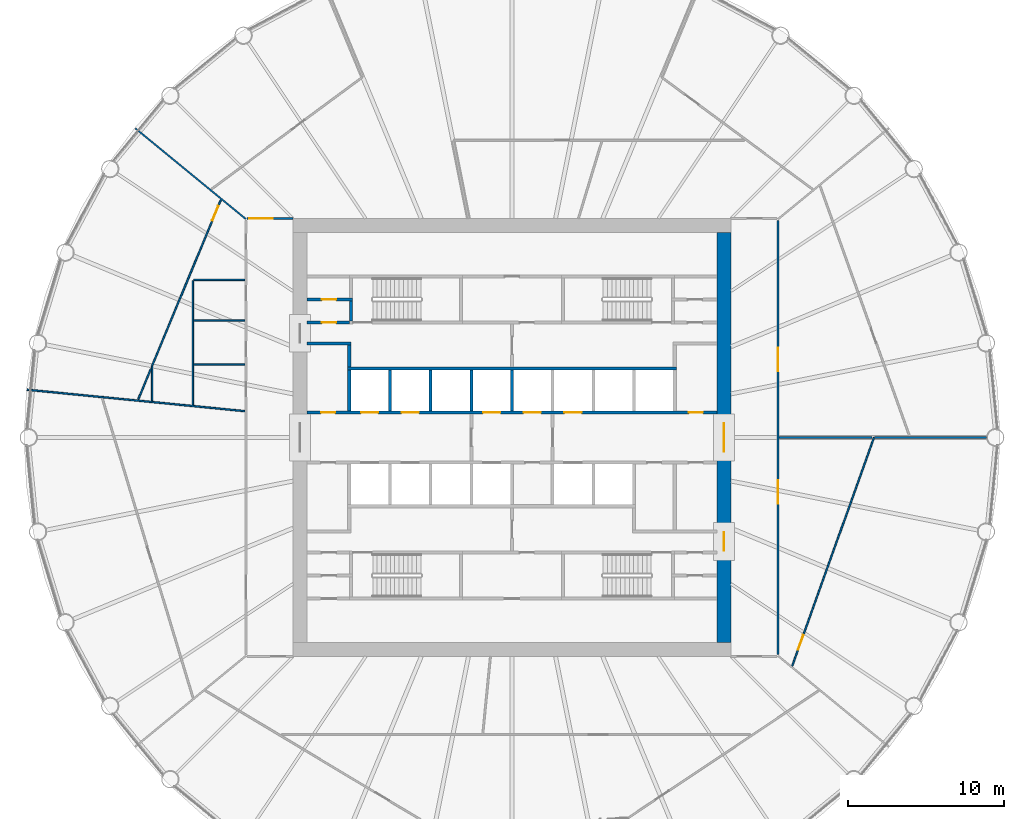
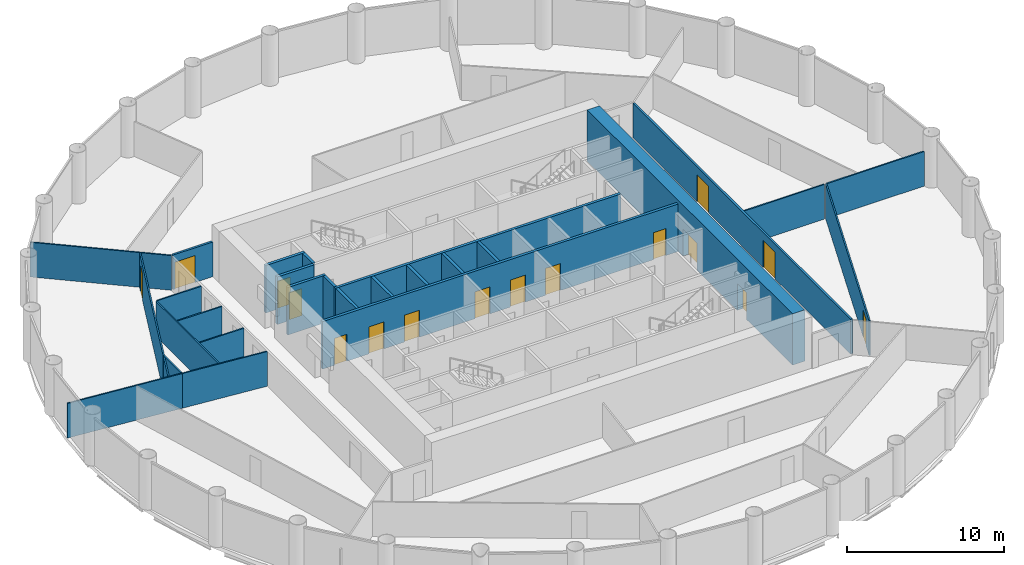
# One storey, part 6 of 9: 28 walls, 16 doors, 16 openings.
"""IFC4 building model written with IfcOpenShell, lengths in metres."""

from ifc_helpers import new_model, si_unit, direction, frame, frame_2d, origin, place, context, subcontext, project, spatial, polyline, rectangle, outline, extrude, material, layer, layer_set, type_object, element, fill, save


model = new_model("IFC4")

# Units and contexts
model_context = context("Model", 3, precision=1e-05, world=origin(), true_north=direction((0.0, 1.0)))
body_context = subcontext(model_context, "Body", "Model", "MODEL_VIEW")
ifc_project = project(units=[si_unit("LENGTHUNIT", "METRE"), si_unit("AREAUNIT", "SQUARE_METRE"), si_unit("VOLUMEUNIT", "CUBIC_METRE"), si_unit("PLANEANGLEUNIT", "RADIAN"), si_unit("MASSUNIT", "GRAM", prefix="KILO")], contexts=[model_context])

# Site, building, storey
site_placement = place(None, origin())
site = spatial("IfcSite", under=ifc_project, at=site_placement, CompositionType="ELEMENT")
building_placement = place(site_placement, origin())
building = spatial("IfcBuilding", under=site, at=building_placement, Name="Corvane Civic Tower", CompositionType="ELEMENT")
storey_placement = place(building_placement, frame((0.0, 0.0, 164.0)))
storey = spatial("IfcBuildingStorey", under=building, at=storey_placement, Name="L38", CompositionType="ELEMENT", Elevation=164.0)

# Wall, openings, doors
ifc_material_1 = material(Name="Concrete C60/75", Category="concrete")
ifc_layer_1 = layer(ifc_material_1, 0.89990234375)
ifc_layer_set_1 = layer_set([ifc_layer_1], Name="Concrete C60/75")
wall_type_1 = type_object("IfcWallType", Name="CORE WALL 900 C60/75", PredefinedType="SHEAR", material=ifc_layer_set_1)
wall_1_placement = place(storey_placement, frame((13.550048828125, -13.10009765625, 0.0), z_axis=(0.0, 0.0, 1.0), x_axis=(0.0, 1.0, 0.0)))
wall_1 = element("IfcWall", 1, at=wall_1_placement, inside=storey, type_object=wall_type_1, Name="W-L38-core-E", PredefinedType="SHEAR", context=body_context, shape_type="SweptSolid", body=[
    extrude(rectangle(XDim=26.2001953125, YDim=0.89990234375, at=frame_2d((13.10009765625, 0.0))), origin(), (0.0, 0.0, 1.0), 4.0),
])
opening_1_placement = place(wall_1_placement, frame((12.199951171875, 0.0, 0.0)))
opening_1 = element("IfcOpeningElement", 2, at=opening_1_placement, cuts=wall_1, Name="Opening L38.C29", PredefinedType="OPENING", context=body_context, shape_type="SweptSolid", body=[
    extrude(rectangle(XDim=1.800048828125, YDim=2.10009765625, at=frame_2d((0.89990234375, 1.050048828125))), frame((0.0, 0.4599609375, 0.0), z_axis=(0.0, -1.0, 0.0), x_axis=(1.0, 0.0, 0.0)), (0.0, 0.0, 1.0), 0.919921875),
])
opening_2_placement = place(wall_1_placement, frame((5.85009765625, 0.0, 0.0)))
opening_2 = element("IfcOpeningElement", 3, at=opening_2_placement, cuts=wall_1, Name="Opening L38.C31", PredefinedType="OPENING", context=body_context, shape_type="SweptSolid", body=[
    extrude(rectangle(XDim=1.199951171875, YDim=2.10009765625, at=frame_2d((0.60009765625, 1.050048828125))), frame((0.0, 0.4599609375, 0.0), z_axis=(0.0, -1.0, 0.0), x_axis=(1.0, 0.0, 0.0)), (0.0, 0.0, 1.0), 0.919921875),
])
ifc_material_2 = material(Name="Steel fire door leaf", Category="steel")
door_type_1 = type_object("IfcDoorType", Name="CR-DOOR-CORE-1800", OperationType="DOUBLE_DOOR_SINGLE_SWING", PredefinedType="DOOR", material=ifc_material_2)
door_1_placement = place(opening_1_placement, origin())
door_1 = element("IfcDoor", 4, at=door_1_placement, inside=storey, type_object=door_type_1, Name="L38 door", OperationType="DOUBLE_DOOR_SINGLE_SWING", OverallHeight=2.10009765625, OverallWidth=1.800048828125, PredefinedType="DOOR", context=body_context, shape_type="SweptSolid", body=[
    extrude(rectangle(XDim=1.800048828125, YDim=2.10009765625, at=frame_2d((0.89990234375, 1.050048828125))), frame((0.0, 0.02490234375, 0.0), z_axis=(0.0, -1.0, 0.0), x_axis=(1.0, 0.0, 0.0)), (0.0, 0.0, 1.0), 0.050048828125),
])
fill(opening_1, door_1)
door_2_placement = place(opening_2_placement, origin())
door_2 = element("IfcDoor", 5, at=door_2_placement, inside=storey, type_object=door_type_1, Name="L38 door", OperationType="DOUBLE_DOOR_SINGLE_SWING", OverallHeight=2.10009765625, OverallWidth=1.199951171875, PredefinedType="DOOR", context=body_context, shape_type="SweptSolid", body=[
    extrude(rectangle(XDim=1.199951171875, YDim=2.10009765625, at=frame_2d((0.60009765625, 1.050048828125))), frame((0.0, 0.02490234375, 0.0), z_axis=(0.0, -1.0, 0.0), x_axis=(1.0, 0.0, 0.0)), (0.0, 0.0, 1.0), 0.050048828125),
])
fill(opening_2, door_2)

ifc_material_3 = material(Name="Concrete C30/37", Category="concrete")
ifc_layer_2 = layer(ifc_material_3, 0.199951171875)
ifc_layer_set_2 = layer_set([ifc_layer_2], Name="Concrete C30/37")
wall_type_2 = type_object("IfcWallType", Name="CR-WALL-200", PredefinedType="PARTITIONING", material=ifc_layer_set_2)
wall_2_placement = place(storey_placement, frame((-13.10009765625, 1.60009765625, 0.0), z_axis=(0.0, 0.0, 1.0), x_axis=(1.0, 0.0, 0.0)))
wall_2 = element("IfcWall", 6, at=wall_2_placement, inside=storey, type_object=wall_type_2, Name="L38 lift shaft wall", PredefinedType="PARTITIONING", context=body_context, shape_type="SweptSolid", body=[
    extrude(rectangle(XDim=26.2001953125, YDim=0.199951171875, at=frame_2d((13.10009765625, 0.0))), origin(), (0.0, 0.0, 1.0), 3.699951171875),
])
opening_3_placement = place(wall_2_placement, frame((3.449951171875, 0.0, 0.0)))
opening_3 = element("IfcOpeningElement", 7, at=opening_3_placement, cuts=wall_2, Name="Opening LD", PredefinedType="OPENING", context=body_context, shape_type="SweptSolid", body=[
    extrude(rectangle(XDim=1.10009765625, YDim=2.10009765625, at=frame_2d((0.550048828125, 1.050048828125))), frame((0.0, 0.10986328125, 0.0), z_axis=(0.0, -1.0, 0.0), x_axis=(1.0, 0.0, 0.0)), (0.0, 0.0, 1.0), 0.219970703125),
])
opening_4_placement = place(wall_2_placement, frame((6.050048828125, 0.0, 0.0)))
opening_4 = element("IfcOpeningElement", 8, at=opening_4_placement, cuts=wall_2, Name="Opening LD", PredefinedType="OPENING", context=body_context, shape_type="SweptSolid", body=[
    extrude(rectangle(XDim=1.10009765625, YDim=2.10009765625, at=frame_2d((0.550048828125, 1.050048828125))), frame((0.0, 0.10986328125, 0.0), z_axis=(0.0, -1.0, 0.0), x_axis=(1.0, 0.0, 0.0)), (0.0, 0.0, 1.0), 0.219970703125),
])
opening_5_placement = place(wall_2_placement, frame((11.25, 0.0, 0.0)))
opening_5 = element("IfcOpeningElement", 9, at=opening_5_placement, cuts=wall_2, Name="Opening LD", PredefinedType="OPENING", context=body_context, shape_type="SweptSolid", body=[
    extrude(rectangle(XDim=1.10009765625, YDim=2.10009765625, at=frame_2d((0.550048828125, 1.050048828125))), frame((0.0, 0.10986328125, 0.0), z_axis=(0.0, -1.0, 0.0), x_axis=(1.0, 0.0, 0.0)), (0.0, 0.0, 1.0), 0.219970703125),
])
opening_6_placement = place(wall_2_placement, frame((13.85009765625, 0.0, 0.0)))
opening_6 = element("IfcOpeningElement", 10, at=opening_6_placement, cuts=wall_2, Name="Opening LD", PredefinedType="OPENING", context=body_context, shape_type="SweptSolid", body=[
    extrude(rectangle(XDim=1.10009765625, YDim=2.10009765625, at=frame_2d((0.550048828125, 1.050048828125))), frame((0.0, 0.10986328125, 0.0), z_axis=(0.0, -1.0, 0.0), x_axis=(1.0, 0.0, 0.0)), (0.0, 0.0, 1.0), 0.219970703125),
])
opening_7_placement = place(wall_2_placement, frame((16.449951171875, 0.0, 0.0)))
opening_7 = element("IfcOpeningElement", 11, at=opening_7_placement, cuts=wall_2, Name="Opening LD", PredefinedType="OPENING", context=body_context, shape_type="SweptSolid", body=[
    extrude(rectangle(XDim=1.10009765625, YDim=2.10009765625, at=frame_2d((0.550048828125, 1.050048828125))), frame((0.0, 0.10986328125, 0.0), z_axis=(0.0, -1.0, 0.0), x_axis=(1.0, 0.0, 0.0)), (0.0, 0.0, 1.0), 0.219970703125),
])
opening_8_placement = place(wall_2_placement, frame((0.89990234375, 0.0, 0.0)))
opening_8 = element("IfcOpeningElement", 12, at=opening_8_placement, cuts=wall_2, Name="Opening L38.C01", PredefinedType="OPENING", context=body_context, shape_type="SweptSolid", body=[
    extrude(rectangle(XDim=0.89990234375, YDim=2.10009765625, at=frame_2d((0.449951171875, 1.050048828125))), frame((0.0, 0.10986328125, 0.0), z_axis=(0.0, -1.0, 0.0), x_axis=(1.0, 0.0, 0.0)), (0.0, 0.0, 1.0), 0.219970703125),
])
opening_9_placement = place(wall_2_placement, frame((24.39990234375, 0.0, 0.0)))
opening_9 = element("IfcOpeningElement", 13, at=opening_9_placement, cuts=wall_2, Name="Opening L38.C02", PredefinedType="OPENING", context=body_context, shape_type="SweptSolid", body=[
    extrude(rectangle(XDim=0.89990234375, YDim=2.10009765625, at=frame_2d((0.449951171875, 1.050048828125))), frame((0.0, 0.10986328125, 0.0), z_axis=(0.0, -1.0, 0.0), x_axis=(1.0, 0.0, 0.0)), (0.0, 0.0, 1.0), 0.219970703125),
])
ifc_material_4 = material(Name="Steel fire door leaf", Category="steel")
door_type_2 = type_object("IfcDoorType", Name="CR-DOOR-900", OperationType="SINGLE_SWING_LEFT", PredefinedType="DOOR", material=ifc_material_4)
door_3_placement = place(opening_8_placement, origin())
door_3 = element("IfcDoor", 14, at=door_3_placement, inside=storey, type_object=door_type_2, Name="L38 door", OperationType="SINGLE_SWING_LEFT", OverallHeight=2.10009765625, OverallWidth=0.89990234375, PredefinedType="DOOR", context=body_context, shape_type="SweptSolid", body=[
    extrude(rectangle(XDim=0.89990234375, YDim=2.10009765625, at=frame_2d((0.449951171875, 1.050048828125))), frame((0.0, 0.02490234375, 0.0), z_axis=(0.0, -1.0, 0.0), x_axis=(1.0, 0.0, 0.0)), (0.0, 0.0, 1.0), 0.050048828125),
])
fill(opening_8, door_3)
door_4_placement = place(opening_9_placement, origin())
door_4 = element("IfcDoor", 15, at=door_4_placement, inside=storey, type_object=door_type_2, Name="L38 door", OperationType="SINGLE_SWING_LEFT", OverallHeight=2.10009765625, OverallWidth=0.89990234375, PredefinedType="DOOR", context=body_context, shape_type="SweptSolid", body=[
    extrude(rectangle(XDim=0.89990234375, YDim=2.10009765625, at=frame_2d((0.449951171875, 1.050048828125))), frame((0.0, 0.02490234375, 0.0), z_axis=(0.0, -1.0, 0.0), x_axis=(1.0, 0.0, 0.0)), (0.0, 0.0, 1.0), 0.050048828125),
])
fill(opening_9, door_4)
ifc_material_5 = material(Name="Stainless steel 316 door leaves", Category="steel")
door_type_3 = type_object("IfcDoorType", Name="LD", OperationType="DOUBLE_DOOR_SLIDING", PredefinedType="DOOR", material=ifc_material_5)
door_5_placement = place(opening_3_placement, origin())
door_5 = element("IfcDoor", 16, at=door_5_placement, inside=storey, type_object=door_type_3, Name="L38 landing door", OperationType="DOUBLE_DOOR_SLIDING", OverallHeight=2.10009765625, OverallWidth=1.10009765625, PredefinedType="DOOR", context=body_context, shape_type="SweptSolid", body=[
    extrude(rectangle(XDim=1.10009765625, YDim=2.10009765625, at=frame_2d((0.550048828125, 1.050048828125))), frame((0.0, 0.02490234375, 0.0), z_axis=(0.0, -1.0, 0.0), x_axis=(1.0, 0.0, 0.0)), (0.0, 0.0, 1.0), 0.050048828125),
])
fill(opening_3, door_5)
door_6_placement = place(opening_4_placement, origin())
door_6 = element("IfcDoor", 17, at=door_6_placement, inside=storey, type_object=door_type_3, Name="L38 landing door", OperationType="DOUBLE_DOOR_SLIDING", OverallHeight=2.10009765625, OverallWidth=1.10009765625, PredefinedType="DOOR", context=body_context, shape_type="SweptSolid", body=[
    extrude(rectangle(XDim=1.10009765625, YDim=2.10009765625, at=frame_2d((0.550048828125, 1.050048828125))), frame((0.0, 0.02490234375, 0.0), z_axis=(0.0, -1.0, 0.0), x_axis=(1.0, 0.0, 0.0)), (0.0, 0.0, 1.0), 0.050048828125),
])
fill(opening_4, door_6)
door_7_placement = place(opening_5_placement, origin())
door_7 = element("IfcDoor", 18, at=door_7_placement, inside=storey, type_object=door_type_3, Name="L38 landing door", OperationType="DOUBLE_DOOR_SLIDING", OverallHeight=2.10009765625, OverallWidth=1.10009765625, PredefinedType="DOOR", context=body_context, shape_type="SweptSolid", body=[
    extrude(rectangle(XDim=1.10009765625, YDim=2.10009765625, at=frame_2d((0.550048828125, 1.050048828125))), frame((0.0, 0.02490234375, 0.0), z_axis=(0.0, -1.0, 0.0), x_axis=(1.0, 0.0, 0.0)), (0.0, 0.0, 1.0), 0.050048828125),
])
fill(opening_5, door_7)
door_8_placement = place(opening_6_placement, origin())
door_8 = element("IfcDoor", 19, at=door_8_placement, inside=storey, type_object=door_type_3, Name="L38 landing door", OperationType="DOUBLE_DOOR_SLIDING", OverallHeight=2.10009765625, OverallWidth=1.10009765625, PredefinedType="DOOR", context=body_context, shape_type="SweptSolid", body=[
    extrude(rectangle(XDim=1.10009765625, YDim=2.10009765625, at=frame_2d((0.550048828125, 1.050048828125))), frame((0.0, 0.02490234375, 0.0), z_axis=(0.0, -1.0, 0.0), x_axis=(1.0, 0.0, 0.0)), (0.0, 0.0, 1.0), 0.050048828125),
])
fill(opening_6, door_8)
door_9_placement = place(opening_7_placement, origin())
door_9 = element("IfcDoor", 20, at=door_9_placement, inside=storey, type_object=door_type_3, Name="L38 landing door", OperationType="DOUBLE_DOOR_SLIDING", OverallHeight=2.10009765625, OverallWidth=1.10009765625, PredefinedType="DOOR", context=body_context, shape_type="SweptSolid", body=[
    extrude(rectangle(XDim=1.10009765625, YDim=2.10009765625, at=frame_2d((0.550048828125, 1.050048828125))), frame((0.0, 0.02490234375, 0.0), z_axis=(0.0, -1.0, 0.0), x_axis=(1.0, 0.0, 0.0)), (0.0, 0.0, 1.0), 0.050048828125),
])
fill(opening_7, door_9)

# Wall, opening, door
wall_3_placement = place(storey_placement, frame((-13.10009765625, 7.35009765625, 0.0), z_axis=(0.0, 0.0, 1.0), x_axis=(1.0, 0.0, 0.0)))
wall_3 = element("IfcWall", 21, at=wall_3_placement, inside=storey, type_object=wall_type_2, Name="L38 core partition wall", PredefinedType="PARTITIONING", context=body_context, shape_type="SweptSolid", body=[
    extrude(rectangle(XDim=2.7001953125, YDim=0.199951171875, at=frame_2d((1.35009765625, 0.0))), origin(), (0.0, 0.0, 1.0), 3.699951171875),
])
opening_10_placement = place(wall_3_placement, frame((0.949951171875, 0.0, 0.0)))
opening_10 = element("IfcOpeningElement", 22, at=opening_10_placement, cuts=wall_3, Name="Opening L38.C11", PredefinedType="OPENING", context=body_context, shape_type="SweptSolid", body=[
    extrude(rectangle(XDim=0.89990234375, YDim=2.10009765625, at=frame_2d((0.449951171875, 1.050048828125))), frame((0.0, 0.10986328125, 0.0), z_axis=(0.0, -1.0, 0.0), x_axis=(1.0, 0.0, 0.0)), (0.0, 0.0, 1.0), 0.219970703125),
])
door_10_placement = place(opening_10_placement, origin())
door_10 = element("IfcDoor", 23, at=door_10_placement, inside=storey, type_object=door_type_2, Name="L38 door", OperationType="SINGLE_SWING_LEFT", OverallHeight=2.10009765625, OverallWidth=0.89990234375, PredefinedType="DOOR", context=body_context, shape_type="SweptSolid", body=[
    extrude(rectangle(XDim=0.89990234375, YDim=2.10009765625, at=frame_2d((0.449951171875, 1.050048828125))), frame((0.0, 0.02490234375, 0.0), z_axis=(0.0, -1.0, 0.0), x_axis=(1.0, 0.0, 0.0)), (0.0, 0.0, 1.0), 0.050048828125),
])
fill(opening_10, door_10)

wall_4_placement = place(storey_placement, frame((-13.10009765625, 8.824951171875, 0.0), z_axis=(0.0, 0.0, 1.0), x_axis=(1.0, 0.0, 0.0)))
wall_4 = element("IfcWall", 24, at=wall_4_placement, inside=storey, type_object=wall_type_2, Name="L38 partition wall", PredefinedType="PARTITIONING", context=body_context, shape_type="SweptSolid", body=[
    extrude(rectangle(XDim=2.900146484375, YDim=0.199951171875, at=frame_2d((1.4501953125, 0.0))), origin(), (0.0, 0.0, 1.0), 3.699951171875),
])
opening_11_placement = place(wall_4_placement, frame((0.949951171875, 0.0, 0.0)))
opening_11 = element("IfcOpeningElement", 25, at=opening_11_placement, cuts=wall_4, Name="Opening L38.C12", PredefinedType="OPENING", context=body_context, shape_type="SweptSolid", body=[
    extrude(rectangle(XDim=0.89990234375, YDim=2.10009765625, at=frame_2d((0.449951171875, 1.050048828125))), frame((0.0, 0.10986328125, 0.0), z_axis=(0.0, -1.0, 0.0), x_axis=(1.0, 0.0, 0.0)), (0.0, 0.0, 1.0), 0.219970703125),
])
door_11_placement = place(opening_11_placement, origin())
door_11 = element("IfcDoor", 26, at=door_11_placement, inside=storey, type_object=door_type_2, Name="L38 door", OperationType="SINGLE_SWING_LEFT", OverallHeight=2.10009765625, OverallWidth=0.89990234375, PredefinedType="DOOR", context=body_context, shape_type="SweptSolid", body=[
    extrude(rectangle(XDim=0.89990234375, YDim=2.10009765625, at=frame_2d((0.449951171875, 1.050048828125))), frame((0.0, 0.02490234375, 0.0), z_axis=(0.0, -1.0, 0.0), x_axis=(1.0, 0.0, 0.0)), (0.0, 0.0, 1.0), 0.050048828125),
])
fill(opening_11, door_11)

# Walls
wall_5_placement = place(storey_placement, origin())
element("IfcWall", 27, at=wall_5_placement, inside=storey, type_object=wall_type_2, Name="L38 core partition wall", PredefinedType="PARTITIONING", context=body_context, shape_type="SweptSolid", body=[
    extrude(outline(polyline([(10.5, 4.5), (10.5, 4.300048828125), (-10.5, 4.300048828125), (-10.5, 4.5), (10.5, 4.5)])), origin(), (0.0, 0.0, 1.0), 3.699951171875),
])
wall_6_placement = place(storey_placement, origin())
element("IfcWall", 28, at=wall_6_placement, inside=storey, type_object=wall_type_2, Name="L38 core partition wall", PredefinedType="PARTITIONING", context=body_context, shape_type="SweptSolid", body=[
    extrude(outline(polyline([(-10.300048828125, 5.89990234375), (-13.10009765625, 5.89990234375), (-13.10009765625, 6.10009765625), (-10.300048828125, 6.10009765625), (-10.300048828125, 5.89990234375)])), origin(), (0.0, 0.0, 1.0), 3.699951171875),
])
wall_7_placement = place(storey_placement, origin())
element("IfcWall", 29, at=wall_7_placement, inside=storey, type_object=wall_type_2, Name="L38 core partition wall", PredefinedType="PARTITIONING", context=body_context, shape_type="SweptSolid", body=[
    extrude(outline(polyline([(-2.5, 1.699951171875), (-2.699951171875, 1.699951171875), (-2.699951171875, 4.2998046875), (-2.5, 4.2998046875), (-2.5, 1.699951171875)])), origin(), (0.0, 0.0, 1.0), 3.699951171875),
])
wall_8_placement = place(storey_placement, origin())
element("IfcWall", 30, at=wall_8_placement, inside=storey, type_object=wall_type_2, Name="L38 core partition wall", PredefinedType="PARTITIONING", context=body_context, shape_type="SweptSolid", body=[
    extrude(outline(polyline([(0.10009765625, 1.699951171875), (-0.10009765625, 1.699951171875), (-0.10009765625, 4.2998046875), (0.10009765625, 4.2998046875), (0.10009765625, 1.699951171875)])), origin(), (0.0, 0.0, 1.0), 3.699951171875),
])
wall_9_placement = place(storey_placement, origin())
element("IfcWall", 31, at=wall_9_placement, inside=storey, type_object=wall_type_2, Name="L38 core partition wall", PredefinedType="PARTITIONING", context=body_context, shape_type="SweptSolid", body=[
    extrude(outline(polyline([(-10.300048828125, 1.699951171875), (-10.5, 1.699951171875), (-10.5, 4.2998046875), (-10.300048828125, 4.2998046875), (-10.300048828125, 1.699951171875)])), origin(), (0.0, 0.0, 1.0), 3.699951171875),
])
wall_10_placement = place(storey_placement, origin())
element("IfcWall", 32, at=wall_10_placement, inside=storey, type_object=wall_type_2, Name="L38 core partition wall", PredefinedType="PARTITIONING", context=body_context, shape_type="SweptSolid", body=[
    extrude(outline(polyline([(-7.699951171875, 1.699951171875), (-7.89990234375, 1.699951171875), (-7.89990234375, 4.2998046875), (-7.699951171875, 4.2998046875), (-7.699951171875, 1.699951171875)])), origin(), (0.0, 0.0, 1.0), 3.699951171875),
])
wall_11_placement = place(storey_placement, origin())
element("IfcWall", 33, at=wall_11_placement, inside=storey, type_object=wall_type_2, Name="L38 core partition wall", PredefinedType="PARTITIONING", context=body_context, shape_type="SweptSolid", body=[
    extrude(outline(polyline([(-5.10009765625, 1.699951171875), (-5.300048828125, 1.699951171875), (-5.300048828125, 4.2998046875), (-5.10009765625, 4.2998046875), (-5.10009765625, 1.699951171875)])), origin(), (0.0, 0.0, 1.0), 3.699951171875),
])
wall_12_placement = place(storey_placement, origin())
element("IfcWall", 34, at=wall_12_placement, inside=storey, type_object=wall_type_2, Name="L38 core partition wall", PredefinedType="PARTITIONING", context=body_context, shape_type="SweptSolid", body=[
    extrude(outline(polyline([(-10.300048828125, 4.5), (-10.5, 4.5), (-10.5, 5.89990234375), (-10.300048828125, 5.89990234375), (-10.300048828125, 4.5)])), origin(), (0.0, 0.0, 1.0), 3.699951171875),
])

# Wall, opening, door
ifc_material_6 = material(Name="Plasterboard")
ifc_layer_3 = layer(ifc_material_6, 0.10009765625)
ifc_layer_set_3 = layer_set([ifc_layer_3], Name="Plasterboard")
wall_type_3 = type_object("IfcWallType", Name="Partition 100 plasterboard on studs", PredefinedType="PARTITIONING", material=ifc_layer_set_3)
wall_13_placement = place(storey_placement, frame((17.911865234375, -14.61328125, 0.0), z_axis=(0.0, 0.0, 1.0), x_axis=(0.336892373853, 0.941543163344, 0.0)))
wall_13 = element("IfcWall", 35, at=wall_13_placement, inside=storey, type_object=wall_type_3, Name="Partition L38.011", PredefinedType="PARTITIONING", context=body_context, shape_type="SweptSolid", body=[
    extrude(rectangle(XDim=15.5205078125, YDim=0.10009765625, at=frame_2d((7.76025390625, 0.0))), origin(), (0.0, 0.0, 1.0), 2.699951171875),
])
opening_12_placement = place(wall_13_placement, frame((1.111328125, 0.0, 0.0)))
opening_12 = element("IfcOpeningElement", 36, at=opening_12_placement, cuts=wall_13, Name="Opening L38.014", PredefinedType="OPENING", context=body_context, shape_type="SweptSolid", body=[
    extrude(rectangle(XDim=1.0, YDim=2.10009765625, at=frame_2d((0.5, 1.050048828125))), frame((0.0, 0.06005859375, 0.0), z_axis=(0.0, -1.0, 0.0), x_axis=(1.0, 0.0, 0.0)), (0.0, 0.0, 1.0), 0.1201171875),
])
ifc_material_7 = material(Name="Timber", Category="wood")
door_type_4 = type_object("IfcDoorType", Name="Single door 1000", OperationType="NOTDEFINED", PredefinedType="DOOR", material=ifc_material_7)
door_12_placement = place(opening_12_placement, frame((1.0, 0.0, 0.0), z_axis=(0.0, 0.0, 1.0), x_axis=(-1.0, 0.0, 0.0)))
door_12 = element("IfcDoor", 37, at=door_12_placement, inside=storey, type_object=door_type_4, Name="Door L38.014", OperationType="SINGLE_SWING_LEFT", OverallHeight=2.10009765625, OverallWidth=1.0, PredefinedType="DOOR", context=body_context, shape_type="SweptSolid", body=[
    extrude(rectangle(XDim=1.0, YDim=2.10009765625, at=frame_2d((0.5, 1.050048828125))), frame((0.0, 0.02490234375, 0.0), z_axis=(0.0, -1.0, 0.0), x_axis=(1.0, 0.0, 0.0)), (0.0, 0.0, 1.0), 0.050048828125),
])
fill(opening_12, door_12)

# Walls
wall_14_placement = place(storey_placement, frame((17.074951171875, 0.0, 0.0), z_axis=(0.0, 0.0, 1.0), x_axis=(1.0, 0.0, 0.0)))
element("IfcWall", 38, at=wall_14_placement, inside=storey, type_object=wall_type_3, Name="Partition L38.016", PredefinedType="PARTITIONING", context=body_context, shape_type="SweptSolid", body=[
    extrude(rectangle(XDim=5.925048828125, YDim=0.10009765625, at=frame_2d((2.96240234375, 0.0))), origin(), (0.0, 0.0, 1.0), 2.699951171875),
])
wall_15_placement = place(storey_placement, frame((23.1806640625, 0.0, 0.0), z_axis=(0.0, 0.0, 1.0), x_axis=(1.0, 0.0, 0.0)))
element("IfcWall", 39, at=wall_15_placement, inside=storey, type_object=wall_type_3, Name="Partition L38.017", PredefinedType="PARTITIONING", context=body_context, shape_type="SweptSolid", body=[
    extrude(rectangle(XDim=7.1591796875, YDim=0.10009765625, at=frame_2d((3.57958984375, 0.0))), origin(), (0.0, 0.0, 1.0), 2.699951171875),
])
wall_16_placement = place(storey_placement, frame((-23.0, 2.265380859375, 0.0), z_axis=(0.0, 0.0, 1.0), x_axis=(0.995181996219, -0.098044859127, 0.0)))
element("IfcWall", 40, at=wall_16_placement, inside=storey, type_object=wall_type_3, Name="Partition L38.019", PredefinedType="PARTITIONING", context=body_context, shape_type="SweptSolid", body=[
    extrude(rectangle(XDim=5.94873046875, YDim=0.10009765625, at=frame_2d((2.974365234375, 0.0))), origin(), (0.0, 0.0, 1.0), 2.699951171875),
])
wall_17_placement = place(storey_placement, frame((-20.39990234375, 2.064453125, 0.0), z_axis=(0.0, 0.0, 1.0), x_axis=(0.0, 1.0, 0.0)))
element("IfcWall", 41, at=wall_17_placement, inside=storey, type_object=wall_type_3, Name="Partition L38.020", PredefinedType="PARTITIONING", context=body_context, shape_type="SweptSolid", body=[
    extrude(rectangle(XDim=7.9599609375, YDim=0.10009765625, at=frame_2d((3.97998046875, 0.0))), origin(), (0.0, 0.0, 1.0), 2.699951171875),
])
wall_18_placement = place(storey_placement, frame((-31.000244140625, 3.05322265625, 0.0), z_axis=(0.0, 0.0, 1.0), x_axis=(0.995186103497, -0.098003160181, 0.0)))
element("IfcWall", 42, at=wall_18_placement, inside=storey, type_object=wall_type_3, Name="Partition L38.021", PredefinedType="PARTITIONING", context=body_context, shape_type="SweptSolid", body=[
    extrude(rectangle(XDim=8.0390625, YDim=0.10009765625, at=frame_2d((4.01953125, 0.0))), origin(), (0.0, 0.0, 1.0), 2.699951171875),
])

# Wall, opening, door
wall_19_placement = place(storey_placement, frame((-23.010009765625, 4.56787109375, 0.0), z_axis=(0.0, 0.0, 1.0), x_axis=(0.382698123591, 0.923873447069, 0.0)))
wall_19 = element("IfcWall", 43, at=wall_19_placement, inside=storey, type_object=wall_type_3, Name="Partition L38.022", PredefinedType="PARTITIONING", context=body_context, shape_type="SweptSolid", body=[
    extrude(rectangle(XDim=11.4970703125, YDim=0.10009765625, at=frame_2d((5.74853515625, 0.0))), origin(), (0.0, 0.0, 1.0), 2.699951171875),
])
opening_13_placement = place(wall_19_placement, frame((10.075439453125, 0.0, 0.0)))
opening_13 = element("IfcOpeningElement", 44, at=opening_13_placement, cuts=wall_19, Name="Opening L38.018", PredefinedType="OPENING", context=body_context, shape_type="SweptSolid", body=[
    extrude(rectangle(XDim=1.0, YDim=2.10009765625, at=frame_2d((0.5, 1.050048828125))), frame((0.0, 0.06005859375, 0.0), z_axis=(0.0, -1.0, 0.0), x_axis=(1.0, 0.0, 0.0)), (0.0, 0.0, 1.0), 0.1201171875),
])
door_13_placement = place(opening_13_placement, origin())
door_13 = element("IfcDoor", 45, at=door_13_placement, inside=storey, type_object=door_type_4, Name="Door L38.018", OperationType="SINGLE_SWING_LEFT", OverallHeight=2.10009765625, OverallWidth=1.0, PredefinedType="DOOR", context=body_context, shape_type="SweptSolid", body=[
    extrude(rectangle(XDim=1.0, YDim=2.10009765625, at=frame_2d((0.5, 1.050048828125))), frame((0.0, 0.02490234375, 0.0), z_axis=(0.0, -1.0, 0.0), x_axis=(1.0, 0.0, 0.0)), (0.0, 0.0, 1.0), 0.050048828125),
])
fill(opening_13, door_13)

# Walls
for number, where, z_axis, x_axis, name in (
    (46, (-20.35009765625, 4.67431640625, 0.0), (0.0, 0.0, 1.0), (1.0, 0.0, 0.0), "Partition L38.023"),
    (47, (-20.35009765625, 7.474365234375, 0.0), (0.0, 0.0, 1.0), (1.0, 0.0, 0.0), "Partition L38.024"),
    (48, (-20.35009765625, 10.074462890625, 0.0), (0.0, 0.0, 1.0), (1.0, 0.0, 0.0), "Partition L38.025"),
):
    element("IfcWall", number, at=place(storey_placement, frame(where, z_axis=z_axis, x_axis=x_axis)), inside=storey, type_object=wall_type_3, Name=name, PredefinedType="PARTITIONING", context=body_context, shape_type="SweptSolid", body=[
        extrude(rectangle(XDim=3.275146484375, YDim=0.10009765625, at=frame_2d((1.6376953125, 0.0))), origin(), (0.0, 0.0, 1.0), 2.699951171875),
    ])
wall_20_placement = place(storey_placement, frame((-24.079345703125, 19.761474609375, 0.0), z_axis=(0.0, 0.0, 1.0), x_axis=(0.773006154143, -0.634398522742, 0.0)))
element("IfcWall", 49, at=wall_20_placement, inside=storey, type_object=wall_type_3, Name="Partition L38.026", PredefinedType="PARTITIONING", context=body_context, shape_type="SweptSolid", body=[
    extrude(rectangle(XDim=9.134521484375, YDim=0.10009765625, at=frame_2d((4.5673828125, 0.0))), origin(), (0.0, 0.0, 1.0), 2.699951171875),
])
wall_21_placement = place(storey_placement, frame((-23.889892578125, 2.443359375, 0.0), z_axis=(0.0, 0.0, 1.0), x_axis=(0.382640634603, 0.923897258763, 0.0)))
element("IfcWall", 50, at=wall_21_placement, inside=storey, type_object=wall_type_3, Name="Partition L38.037", PredefinedType="PARTITIONING", context=body_context, shape_type="SweptSolid", body=[
    extrude(rectangle(XDim=2.09033203125, YDim=0.10009765625, at=frame_2d((1.045166015625, 0.0))), origin(), (0.0, 0.0, 1.0), 2.699951171875),
])
wall_22_placement = place(storey_placement, frame((-23.0, 2.355712890625, 0.0), z_axis=(0.0, 0.0, 1.0), x_axis=(0.0, 1.0, 0.0)))
element("IfcWall", 51, at=wall_22_placement, inside=storey, type_object=wall_type_3, Name="Partition L38.038", PredefinedType="PARTITIONING", context=body_context, shape_type="SweptSolid", body=[
    extrude(rectangle(XDim=2.2080078125, YDim=0.10009765625, at=frame_2d((1.10400390625, 0.0))), origin(), (0.0, 0.0, 1.0), 2.699951171875),
])
ifc_material_8 = material(Name="Concrete C50/60", Category="concrete")
ifc_layer_4 = layer(ifc_material_8, 0.199951171875)
ifc_layer_set_4 = layer_set([ifc_layer_4], Name="Concrete C50/60")
wall_type_4 = type_object("IfcWallType", Name="ST-WALL-200", PredefinedType="SHEAR", material=ifc_layer_set_4)
wall_23_placement = place(storey_placement, origin())
element("IfcWall", 52, at=wall_23_placement, inside=storey, type_object=wall_type_4, Name="L38 stair enclosure wall", PredefinedType="SHEAR", context=body_context, shape_type="SweptSolid", body=[
    extrude(outline(polyline([(-10.199951171875, 8.72509765625), (-10.199951171875, 7.449951171875), (-10.39990234375, 7.449951171875), (-10.39990234375, 8.72509765625), (-10.199951171875, 8.72509765625)])), origin(), (0.0, 0.0, 1.0), 3.699951171875),
])

# Wall, openings, doors
ifc_material_9 = material(Name="Plasterboard")
ifc_layer_5 = layer(ifc_material_9, 0.14990234375)
ifc_layer_set_5 = layer_set([ifc_layer_5], Name="Plasterboard")
wall_type_5 = type_object("IfcWallType", Name="Tenancy wall 150 EI 60", PredefinedType="PARTITIONING", material=ifc_layer_set_5)
wall_24_placement = place(storey_placement, frame((17.0, -13.87646484375, 0.0), z_axis=(0.0, 0.0, 1.0), x_axis=(0.0, 1.0, 0.0)))
wall_24 = element("IfcWall", 53, at=wall_24_placement, inside=storey, type_object=wall_type_5, Name="Partition L38.015", PredefinedType="PARTITIONING", context=body_context, shape_type="SweptSolid", body=[
    extrude(rectangle(XDim=27.7529296875, YDim=0.14990234375, at=frame_2d((13.87646484375, 0.0))), origin(), (0.0, 0.0, 1.0), 2.699951171875),
])
opening_14_placement = place(wall_24_placement, frame((18.107177734375, 0.0, 0.0)))
opening_14 = element("IfcOpeningElement", 54, at=opening_14_placement, cuts=wall_24, Name="Opening L38.013", PredefinedType="OPENING", context=body_context, shape_type="SweptSolid", body=[
    extrude(rectangle(XDim=1.5, YDim=2.10009765625, at=frame_2d((0.75, 1.050048828125))), frame((0.0, 0.0849609375, 0.0), z_axis=(0.0, -1.0, 0.0), x_axis=(1.0, 0.0, 0.0)), (0.0, 0.0, 1.0), 0.169921875),
])
opening_15_placement = place(wall_24_placement, frame((9.640380859375, 0.0, 0.0)))
opening_15 = element("IfcOpeningElement", 55, at=opening_15_placement, cuts=wall_24, Name="Opening L38.015", PredefinedType="OPENING", context=body_context, shape_type="SweptSolid", body=[
    extrude(rectangle(XDim=1.5, YDim=2.10009765625, at=frame_2d((0.75, 1.050048828125))), frame((0.0, 0.0849609375, 0.0), z_axis=(0.0, -1.0, 0.0), x_axis=(1.0, 0.0, 0.0)), (0.0, 0.0, 1.0), 0.169921875),
])
ifc_material_10 = material(Name="Steel and timber", Category="steel")
door_type_5 = type_object("IfcDoorType", Name="Fire door FD60 double 1500", OperationType="NOTDEFINED", PredefinedType="DOOR", material=ifc_material_10)
door_14_placement = place(opening_14_placement, frame((1.5, 0.0, 0.0), z_axis=(0.0, 0.0, 1.0), x_axis=(-1.0, 0.0, 0.0)))
door_14 = element("IfcDoor", 56, at=door_14_placement, inside=storey, type_object=door_type_5, Name="Door L38.013", OperationType="DOUBLE_DOOR_SINGLE_SWING", OverallHeight=2.10009765625, OverallWidth=1.5, PredefinedType="DOOR", context=body_context, shape_type="SweptSolid", body=[
    extrude(rectangle(XDim=1.5, YDim=2.10009765625, at=frame_2d((0.75, 1.050048828125))), frame((0.0, 0.02490234375, 0.0), z_axis=(0.0, -1.0, 0.0), x_axis=(1.0, 0.0, 0.0)), (0.0, 0.0, 1.0), 0.050048828125),
])
fill(opening_14, door_14)
door_15_placement = place(opening_15_placement, frame((1.5, 0.0, 0.0), z_axis=(0.0, 0.0, 1.0), x_axis=(-1.0, 0.0, 0.0)))
door_15 = element("IfcDoor", 57, at=door_15_placement, inside=storey, type_object=door_type_5, Name="Door L38.015", OperationType="DOUBLE_DOOR_SINGLE_SWING", OverallHeight=2.10009765625, OverallWidth=1.5, PredefinedType="DOOR", context=body_context, shape_type="SweptSolid", body=[
    extrude(rectangle(XDim=1.5, YDim=2.10009765625, at=frame_2d((0.75, 1.050048828125))), frame((0.0, 0.02490234375, 0.0), z_axis=(0.0, -1.0, 0.0), x_axis=(1.0, 0.0, 0.0)), (0.0, 0.0, 1.0), 0.050048828125),
])
fill(opening_15, door_15)

# Wall, opening, door
wall_25_placement = place(storey_placement, frame((-16.925048828125, 14.0, 0.0), z_axis=(0.0, 0.0, 1.0), x_axis=(1.0, 0.0, 0.0)))
wall_25 = element("IfcWall", 58, at=wall_25_placement, inside=storey, type_object=wall_type_5, Name="Partition L38.028", PredefinedType="PARTITIONING", context=body_context, shape_type="SweptSolid", body=[
    extrude(rectangle(XDim=2.93505859375, YDim=0.14990234375, at=frame_2d((1.467529296875, 0.0))), origin(), (0.0, 0.0, 1.0), 2.699951171875),
])
opening_16_placement = place(wall_25_placement, frame((0.130126953125, 0.0, 0.0)))
opening_16 = element("IfcOpeningElement", 59, at=opening_16_placement, cuts=wall_25, Name="Opening L38.003", PredefinedType="OPENING", context=body_context, shape_type="SweptSolid", body=[
    extrude(rectangle(XDim=1.5, YDim=2.10009765625, at=frame_2d((0.75, 1.050048828125))), frame((0.0, 0.0849609375, 0.0), z_axis=(0.0, -1.0, 0.0), x_axis=(1.0, 0.0, 0.0)), (0.0, 0.0, 1.0), 0.169921875),
])
door_16_placement = place(opening_16_placement, origin())
door_16 = element("IfcDoor", 60, at=door_16_placement, inside=storey, type_object=door_type_5, Name="Door L38.003", OperationType="DOUBLE_DOOR_SINGLE_SWING", OverallHeight=2.10009765625, OverallWidth=1.5, PredefinedType="DOOR", context=body_context, shape_type="SweptSolid", body=[
    extrude(rectangle(XDim=1.5, YDim=2.10009765625, at=frame_2d((0.75, 1.050048828125))), frame((0.0, 0.02490234375, 0.0), z_axis=(0.0, -1.0, 0.0), x_axis=(1.0, 0.0, 0.0)), (0.0, 0.0, 1.0), 0.050048828125),
])
fill(opening_16, door_16)

save(model, "model.ifc")
